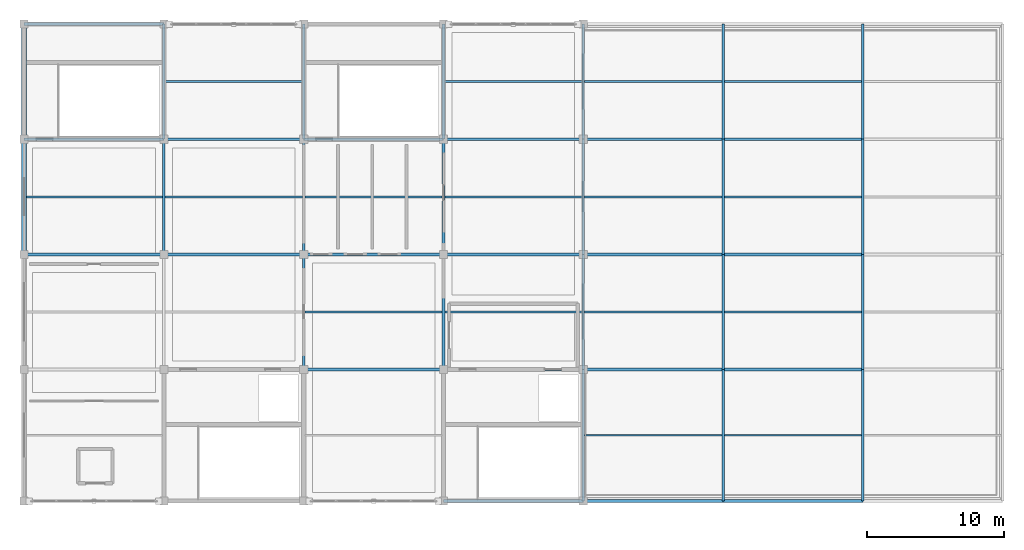
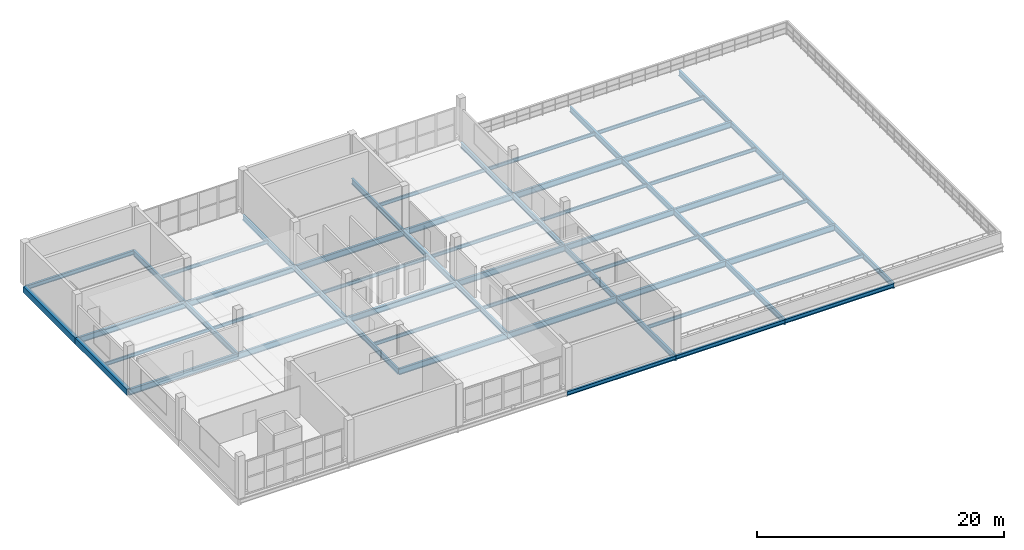
# One storey, part 5 of 12: 58 beams.
"""IFC4 building model written with IfcOpenShell, lengths in metres."""

import ifcopenshell
import ifcopenshell.guid

model = None  # the IFC model being written
_history = None  # IfcOwnerHistory: only IFC2X3 demands one
_inside = {}  # id of a spatial element -> (the spatial element, [elements in it])
_under = {}  # id of a project, library or spatial element -> (it, [spatial elements below it])
_declared = {}  # id of a project -> (the project, [libraries it declares])
_typed = {}  # id of a type object -> (the type object, [elements of that type])
_made_of = {}  # id of a material, layer set ... -> (it, [elements and type objects made of it])


def new_model(schema):
    """Start an empty IFC model of exactly this schema.

    Asked for "IFC4X3", IfcOpenShell would pick the latest addendum, in which some entities
    have other attributes; the version numbers below select the first issue.
    IFC2X3 requires an IfcOwnerHistory on every rooted entity: one is made here for all.
    """
    global model, _history
    if schema == "IFC4X3":
        model = ifcopenshell.file(schema_version=(4, 3, 0, 0))
    else:
        model = ifcopenshell.file(schema=schema)
    _inside.clear()
    _under.clear()
    _declared.clear()
    _typed.clear()
    _made_of.clear()
    _history = None
    if model.schema == "IFC2X3":
        org = make("IfcOrganization", Name="unknown")
        user = make(
            "IfcPersonAndOrganization",
            ThePerson=make("IfcPerson", FamilyName="unknown"),
            TheOrganization=org,
        )
        app = make(
            "IfcApplication",
            ApplicationDeveloper=org,
            Version="unknown",
            ApplicationFullName="unknown",
            ApplicationIdentifier="unknown",
        )
        _history = make(
            "IfcOwnerHistory",
            OwningUser=user,
            OwningApplication=app,
            ChangeAction="ADDED",
            CreationDate=0,
        )
    return model


def make(cls, **values):
    """One entity of the class cls with the attributes given. An attribute that is None is left unset."""
    return model.create_entity(
        cls, **{name: value for name, value in values.items() if value is not None}
    )


def rooted(cls, **values):
    """An entity with a GlobalId (a new one), such as an element, a storey or a relation."""
    return make(cls, GlobalId=ifcopenshell.guid.new(), OwnerHistory=_history, **values)


def si_unit(unit_type, name, prefix=None):
    """IfcSIUnit, for example si_unit("LENGTHUNIT", "METRE", prefix="MILLI")."""
    return make("IfcSIUnit", UnitType=unit_type, Prefix=prefix, Name=name)


def assignment(units):
    """IfcUnitAssignment: the units of a project."""
    return None if units is None else make("IfcUnitAssignment", Units=units)


def point(xyz):
    """IfcCartesianPoint."""
    return None if xyz is None else make("IfcCartesianPoint", Coordinates=xyz)


def direction(xyz):
    """IfcDirection."""
    return None if xyz is None else make("IfcDirection", DirectionRatios=xyz)


def frame(location, z_axis=None, x_axis=None):
    """IfcAxis2Placement3D, a coordinate frame: its origin and axes. An axis left out is left unset."""
    return make(
        "IfcAxis2Placement3D",
        Location=point(location),
        Axis=direction(z_axis),
        RefDirection=direction(x_axis),
    )


def frame_2d(location, x_axis=None):
    """IfcAxis2Placement2D, a coordinate frame in the plane: its origin and x axis."""
    return make(
        "IfcAxis2Placement2D", Location=point(location), RefDirection=direction(x_axis)
    )


def origin():
    """The frame at (0, 0, 0) with its axes left unset."""
    return frame((0.0, 0.0, 0.0))


def origin_2d():
    """The frame at (0, 0) in the plane with its x axis left unset."""
    return frame_2d((0.0, 0.0))


def place(relative_to, where):
    """IfcLocalPlacement: puts the frame where relative to a parent placement (None: the world)."""
    return make(
        "IfcLocalPlacement", PlacementRelTo=relative_to, RelativePlacement=where
    )


def context(
    kind, dimensions, precision=None, world=None, true_north=None, identifier=None
):
    """IfcGeometricRepresentationContext, for example the 3D "Model" context."""
    return make(
        "IfcGeometricRepresentationContext",
        ContextIdentifier=identifier,
        ContextType=kind,
        CoordinateSpaceDimension=dimensions,
        Precision=precision,
        WorldCoordinateSystem=world,
        TrueNorth=true_north,
    )


def subcontext(parent, identifier, kind, view, scale=None):
    """IfcGeometricRepresentationSubContext, for example "Body" below "Model"."""
    return make(
        "IfcGeometricRepresentationSubContext",
        ContextIdentifier=identifier,
        ContextType=kind,
        ParentContext=parent,
        TargetScale=scale,
        TargetView=view,
    )


def project(units=None, contexts=None):
    """IfcProject with its units and contexts."""
    return rooted(
        "IfcProject",
        Name="project",
        RepresentationContexts=contexts,
        UnitsInContext=assignment(units),
    )


def spatial(cls, under=None, at=None, **own):
    """A site, building, storey or space (cls), placed at a placement, below another one or the project."""
    s = rooted(cls, ObjectPlacement=at, **own)
    if under is not None:
        _under.setdefault(under.id(), (under, []))[1].append(s)
    return s


def profile(cls, at=None, kind="AREA", **sizes):
    """A parametric profile (cls). Its sizes go by their IFC names, for example OverallWidth=200.0."""
    return make(cls, ProfileType=kind, Position=at, **sizes)


def rectangle(**sizes):
    """IfcRectangleProfileDef."""
    return profile("IfcRectangleProfileDef", **sizes)


def i_section(**sizes):
    """IfcIShapeProfileDef."""
    return profile("IfcIShapeProfileDef", **sizes)


def extrude(swept, where, along, depth):
    """IfcExtrudedAreaSolid: the profile swept, set in the frame where, extruded along a direction by depth."""
    return make(
        "IfcExtrudedAreaSolid",
        SweptArea=swept,
        Position=where,
        ExtrudedDirection=direction(along),
        Depth=depth,
    )


def shape(context_of_items, identifier, shape_type, items):
    """IfcShapeRepresentation: the items that make up one representation, for example the "Body"."""
    return make(
        "IfcShapeRepresentation",
        ContextOfItems=context_of_items,
        RepresentationIdentifier=identifier,
        RepresentationType=shape_type,
        Items=items,
    )


def material(Name=None, Category=None):
    """IfcMaterial."""
    return make("IfcMaterial", Name=Name, Category=Category)


def material_profile(
    of_material, cross_section, Name=None, Category=None, Priority=None
):
    """IfcMaterialProfile: a cross section and its material."""
    return make(
        "IfcMaterialProfile",
        Name=Name,
        Material=of_material,
        Profile=cross_section,
        Priority=Priority,
        Category=Category,
    )


def profile_set(profiles, Name=None, composite=None):
    """IfcMaterialProfileSet."""
    return make(
        "IfcMaterialProfileSet",
        Name=Name,
        MaterialProfiles=profiles,
        CompositeProfile=composite,
    )


def made_of(thing, what):
    """Note that an element or type object is made of a material, layer set ...; save() writes the relation."""
    if what is not None:
        _made_of.setdefault(what.id(), (what, []))[1].append(thing)
    return thing


def type_object(cls, material=None, **own):
    """A type object (cls), such as IfcWallType, which elements share."""
    return made_of(rooted(cls, **own), material)


def element(
    cls,
    number,
    at=None,
    inside=None,
    cuts=None,
    type_object=None,
    material=None,
    context=None,
    identifier="Body",
    shape_type=None,
    held_by="IfcProductDefinitionShape",
    body=None,
    shapes=None,
    **own,
):
    """One element of the class cls, such as IfcWall. Its Tag is "e" and its number.

    at: its placement. inside: the storey or other place that contains it. cuts: it is an
    opening in that element (IfcRelVoidsElement). A single representation is given by context,
    identifier, shape_type and body (its items); several are given by shapes. held_by: the class
    of the entity that holds the representations. save() writes the other relations.
    """
    e = rooted(cls, Tag="e%d" % number, ObjectPlacement=at, **own)
    if body is not None:
        shapes = [shape(context, identifier, shape_type, body)]
    if shapes is not None:
        e.Representation = make(held_by, Representations=shapes)
    if inside is not None:
        _inside.setdefault(inside.id(), (inside, []))[1].append(e)
    if cuts is not None:
        rooted(
            "IfcRelVoidsElement", RelatingBuildingElement=cuts, RelatedOpeningElement=e
        )
    if type_object is not None:
        _typed.setdefault(type_object.id(), (type_object, []))[1].append(e)
    return made_of(e, material)


def aggregate(whole, parts):
    """IfcRelAggregates: a whole, such as a stair, and the parts it consists of."""
    return rooted("IfcRelAggregates", RelatingObject=whole, RelatedObjects=parts)


def save(model, path):
    """Write the relations noted so far, then the file.

    IfcRelAggregates (storeys below a building ...), IfcRelContainedInSpatialStructure (elements
    in a storey), IfcRelDefinesByType, IfcRelAssociatesMaterial and IfcRelDeclares: one each for
    every whole, place, type object, material and project.
    """
    for whole, parts in _under.values():
        aggregate(whole, parts)
    for where, things in _inside.values():
        rooted(
            "IfcRelContainedInSpatialStructure",
            RelatedElements=things,
            RelatingStructure=where,
        )
    for kind, things in _typed.values():
        rooted("IfcRelDefinesByType", RelatedObjects=things, RelatingType=kind)
    for what, things in _made_of.values():
        rooted("IfcRelAssociatesMaterial", RelatedObjects=things, RelatingMaterial=what)
    for by, libraries in _declared.values():
        rooted("IfcRelDeclares", RelatingContext=by, RelatedDefinitions=libraries)
    model.write(path)


model = new_model("IFC4")

# Units and contexts
model_context = context("Model", 3, precision=1e-05, world=origin(), true_north=direction((0.0, 1.0)))
body_context = subcontext(model_context, "Body", "Model", "MODEL_VIEW")
ifc_project = project(units=[si_unit("LENGTHUNIT", "METRE"), si_unit("AREAUNIT", "SQUARE_METRE"), si_unit("VOLUMEUNIT", "CUBIC_METRE"), si_unit("PLANEANGLEUNIT", "RADIAN"), si_unit("MASSUNIT", "GRAM", prefix="KILO")], contexts=[model_context])

# Site, building, storey
site_placement = place(None, origin())
site = spatial("IfcSite", under=ifc_project, at=site_placement, CompositionType="ELEMENT")
building_placement = place(site_placement, origin())
building = spatial("IfcBuilding", under=site, at=building_placement, Name="Brelvane Convention Centre", CompositionType="ELEMENT")
storey_placement = place(building_placement, frame((0.0, 0.0, 23.39990234375)))
storey = spatial("IfcBuildingStorey", under=building, at=storey_placement, Name="L05", CompositionType="ELEMENT", Elevation=23.39990234375)

# Beams
ifc_material_1 = material(Name="Concrete M40", Category="concrete")
ifc_material_profile_1 = material_profile(ifc_material_1, rectangle(XDim=0.35009765625, YDim=0.60009765625, at=origin_2d()), Name="RC 350x600")
ifc_profile_set_1 = profile_set([ifc_material_profile_1], Name="Concrete M40")
beam_type_1 = type_object("IfcBeamType", Name="RC Beam B-RC8 (RC 350x600)", PredefinedType="BEAM", material=ifc_profile_set_1)
beam_1_placement = place(storey_placement, frame((0.0, 127.199951171875, -0.5849609375), z_axis=(0.0, 1.0, 0.0), x_axis=(-1.0, 0.0, 0.0)))
element("IfcBeam", 1, at=beam_1_placement, inside=storey, type_object=beam_type_1, Name="L05 Girder 1/N-P", PredefinedType="BEAM", context=body_context, shape_type="SweptSolid", body=[
    extrude(rectangle(XDim=0.35009765625, YDim=0.60009765625, at=origin_2d()), origin(), (0.0, 0.0, 1.0), 8.400146484375),
])
beam_2_placement = place(storey_placement, frame((0.0, 135.60009765625, -0.5849609375), z_axis=(0.0, 1.0, 0.0), x_axis=(-1.0, 0.0, 0.0)))
element("IfcBeam", 2, at=beam_2_placement, inside=storey, type_object=beam_type_1, Name="L05 Girder 1/P-Q", PredefinedType="BEAM", context=body_context, shape_type="SweptSolid", body=[
    extrude(rectangle(XDim=0.35009765625, YDim=0.60009765625, at=origin_2d()), origin(), (0.0, 0.0, 1.0), 8.39990234375),
])
ifc_material_2 = material(Name="Steel E350 (350 MPa)", Category="steel")
ifc_material_profile_2 = material_profile(ifc_material_2, i_section(OverallWidth=0.2099609375, OverallDepth=0.60009765625, WebThickness=0.011962890625, FlangeThickness=0.020751953125, FilletRadius=0.02001953125, at=origin_2d()), Name="ISMB 600")
ifc_profile_set_2 = profile_set([ifc_material_profile_2], Name="Steel E350 (350 MPa)")
beam_type_2 = type_object("IfcBeamType", Name="Steel Beam B-ST7 (ISMB 600)", PredefinedType="BEAM", material=ifc_profile_set_2)
for number, where, z_axis, x_axis, name in (
    (3, (0.0, 127.199951171875, -0.5849609375), (1.0, 0.0, 0.0), (0.0, 1.0, 0.0), "L05 Beam 1-2/N"),
    (4, (0.0, 135.60009765625, -0.5849609375), (1.0, 0.0, 0.0), (0.0, 1.0, 0.0), "L05 Beam 1-2/P"),
    (5, (10.199951171875, 127.199951171875, -0.5849609375), (1.0, 0.0, 0.0), (0.0, 1.0, 0.0), "L05 Beam 2-3/N"),
    (6, (10.199951171875, 135.60009765625, -0.5849609375), (1.0, 0.0, 0.0), (0.0, 1.0, 0.0), "L05 Beam 2-3/P"),
):
    element("IfcBeam", number, at=place(storey_placement, frame(where, z_axis=z_axis, x_axis=x_axis)), inside=storey, type_object=beam_type_2, Name=name, PredefinedType="BEAM", context=body_context, shape_type="SweptSolid", body=[
        extrude(i_section(OverallWidth=0.2099609375, OverallDepth=0.60009765625, WebThickness=0.011962890625, FlangeThickness=0.020751953125, FilletRadius=0.02001953125, at=origin_2d()), origin(), (0.0, 0.0, 1.0), 10.199951171875),
    ])
for number, where, z_axis, x_axis, name in (
    (7, (20.39990234375, 118.800048828125, -0.614990234375), (1.0, 0.0, 0.0), (0.0, 1.0, 0.0), "L05 Beam 3-4/M"),
    (8, (20.39990234375, 127.199951171875, -0.614990234375), (1.0, 0.0, 0.0), (0.0, 1.0, 0.0), "L05 Beam 3-4/N"),
    (9, (20.39990234375, 135.60009765625, -0.614990234375), (1.0, 0.0, 0.0), (0.0, 1.0, 0.0), "L05 Beam 3-4/P"),
):
    element("IfcBeam", number, at=place(storey_placement, frame(where, z_axis=z_axis, x_axis=x_axis)), inside=storey, type_object=beam_type_2, Name=name, PredefinedType="BEAM", context=body_context, shape_type="SweptSolid", body=[
        extrude(i_section(OverallWidth=0.2099609375, OverallDepth=0.60009765625, WebThickness=0.011962890625, FlangeThickness=0.020751953125, FilletRadius=0.02001953125, at=origin_2d()), origin(), (0.0, 0.0, 1.0), 10.2001953125),
    ])
for number, where, z_axis, x_axis, name in (
    (10, (30.60009765625, 118.800048828125, -0.614990234375), (1.0, 0.0, 0.0), (0.0, 1.0, 0.0), "L05 Beam 4-5/M"),
    (11, (30.60009765625, 127.199951171875, -0.614990234375), (1.0, 0.0, 0.0), (0.0, 1.0, 0.0), "L05 Beam 4-5/N"),
    (12, (30.60009765625, 135.60009765625, -0.614990234375), (1.0, 0.0, 0.0), (0.0, 1.0, 0.0), "L05 Beam 4-5/P"),
    (13, (40.800048828125, 118.800048828125, -0.60986328125), (1.0, 0.0, 0.0), (0.0, 1.0, 0.0), "L05 Beam 5-6/M"),
    (14, (40.800048828125, 127.199951171875, -0.60986328125), (1.0, 0.0, 0.0), (0.0, 1.0, 0.0), "L05 Beam 5-6/N"),
    (15, (40.800048828125, 135.60009765625, -0.60986328125), (1.0, 0.0, 0.0), (0.0, 1.0, 0.0), "L05 Beam 5-6/P"),
    (16, (51.0, 118.800048828125, -0.60986328125), (1.0, 0.0, 0.0), (0.0, 1.0, 0.0), "L05 Beam 6-7/M"),
    (17, (51.0, 127.199951171875, -0.60986328125), (1.0, 0.0, 0.0), (0.0, 1.0, 0.0), "L05 Beam 6-7/N"),
    (18, (51.0, 135.60009765625, -0.60986328125), (1.0, 0.0, 0.0), (0.0, 1.0, 0.0), "L05 Beam 6-7/P"),
):
    element("IfcBeam", number, at=place(storey_placement, frame(where, z_axis=z_axis, x_axis=x_axis)), inside=storey, type_object=beam_type_2, Name=name, PredefinedType="BEAM", context=body_context, shape_type="SweptSolid", body=[
        extrude(i_section(OverallWidth=0.2099609375, OverallDepth=0.60009765625, WebThickness=0.011962890625, FlangeThickness=0.020751953125, FilletRadius=0.02001953125, at=origin_2d()), origin(), (0.0, 0.0, 1.0), 10.199951171875),
    ])
ifc_material_3 = material(Name="Steel E350 (350 MPa)", Category="steel")
ifc_material_profile_3 = material_profile(ifc_material_3, i_section(OverallWidth=0.18994140625, OverallDepth=0.550048828125, WebThickness=0.01123046875, FlangeThickness=0.019287109375, FilletRadius=0.01806640625, at=origin_2d()), Name="ISMB 550")
ifc_profile_set_3 = profile_set([ifc_material_profile_3], Name="Steel E350 (350 MPa)")
beam_type_3 = type_object("IfcBeamType", Name="Steel Beam B-ST8 (ISMB 550)", PredefinedType="BEAM", material=ifc_profile_set_3)
beam_3_placement = place(storey_placement, frame((10.199951171875, 127.199951171875, -0.559814453125), z_axis=(0.0, 1.0, 0.0), x_axis=(-1.0, 0.0, 0.0)))
element("IfcBeam", 19, at=beam_3_placement, inside=storey, type_object=beam_type_3, Name="L05 Girder 2/N-P", PredefinedType="BEAM", context=body_context, shape_type="SweptSolid", body=[
    extrude(i_section(OverallWidth=0.18994140625, OverallDepth=0.550048828125, WebThickness=0.01123046875, FlangeThickness=0.019287109375, FilletRadius=0.01806640625, at=origin_2d()), origin(), (0.0, 0.0, 1.0), 8.400146484375),
])
for number, where, z_axis, x_axis, name in (
    (20, (10.199951171875, 135.60009765625, -0.559814453125), (0.0, 1.0, 0.0), (-1.0, 0.0, 0.0), "L05 Girder 2/P-Q"),
    (21, (20.39990234375, 118.800048828125, -0.58984375), (0.0, 1.0, 0.0), (-1.0, 0.0, 0.0), "L05 Girder 3/M-N"),
):
    element("IfcBeam", number, at=place(storey_placement, frame(where, z_axis=z_axis, x_axis=x_axis)), inside=storey, type_object=beam_type_3, Name=name, PredefinedType="BEAM", context=body_context, shape_type="SweptSolid", body=[
        extrude(i_section(OverallWidth=0.18994140625, OverallDepth=0.550048828125, WebThickness=0.01123046875, FlangeThickness=0.019287109375, FilletRadius=0.01806640625, at=origin_2d()), origin(), (0.0, 0.0, 1.0), 8.39990234375),
    ])
beam_4_placement = place(storey_placement, frame((20.39990234375, 127.199951171875, -0.58984375), z_axis=(0.0, 1.0, 0.0), x_axis=(-1.0, 0.0, 0.0)))
element("IfcBeam", 22, at=beam_4_placement, inside=storey, type_object=beam_type_3, Name="L05 Girder 3/N-P", PredefinedType="BEAM", context=body_context, shape_type="SweptSolid", body=[
    extrude(i_section(OverallWidth=0.18994140625, OverallDepth=0.550048828125, WebThickness=0.01123046875, FlangeThickness=0.019287109375, FilletRadius=0.01806640625, at=origin_2d()), origin(), (0.0, 0.0, 1.0), 8.400146484375),
])
for number, where, z_axis, x_axis, name in (
    (23, (20.39990234375, 135.60009765625, -0.58984375), (0.0, 1.0, 0.0), (-1.0, 0.0, 0.0), "L05 Girder 3/P-Q"),
    (24, (30.60009765625, 118.800048828125, -0.58984375), (0.0, 1.0, 0.0), (-1.0, 0.0, 0.0), "L05 Girder 4/M-N"),
):
    element("IfcBeam", number, at=place(storey_placement, frame(where, z_axis=z_axis, x_axis=x_axis)), inside=storey, type_object=beam_type_3, Name=name, PredefinedType="BEAM", context=body_context, shape_type="SweptSolid", body=[
        extrude(i_section(OverallWidth=0.18994140625, OverallDepth=0.550048828125, WebThickness=0.01123046875, FlangeThickness=0.019287109375, FilletRadius=0.01806640625, at=origin_2d()), origin(), (0.0, 0.0, 1.0), 8.39990234375),
    ])
beam_5_placement = place(storey_placement, frame((30.60009765625, 127.199951171875, -0.58984375), z_axis=(0.0, 1.0, 0.0), x_axis=(-1.0, 0.0, 0.0)))
element("IfcBeam", 25, at=beam_5_placement, inside=storey, type_object=beam_type_3, Name="L05 Girder 4/N-P", PredefinedType="BEAM", context=body_context, shape_type="SweptSolid", body=[
    extrude(i_section(OverallWidth=0.18994140625, OverallDepth=0.550048828125, WebThickness=0.01123046875, FlangeThickness=0.019287109375, FilletRadius=0.01806640625, at=origin_2d()), origin(), (0.0, 0.0, 1.0), 8.400146484375),
])
beam_6_placement = place(storey_placement, frame((30.60009765625, 135.60009765625, -0.58984375), z_axis=(0.0, 1.0, 0.0), x_axis=(-1.0, 0.0, 0.0)))
element("IfcBeam", 26, at=beam_6_placement, inside=storey, type_object=beam_type_3, Name="L05 Girder 4/P-Q", PredefinedType="BEAM", context=body_context, shape_type="SweptSolid", body=[
    extrude(i_section(OverallWidth=0.18994140625, OverallDepth=0.550048828125, WebThickness=0.01123046875, FlangeThickness=0.019287109375, FilletRadius=0.01806640625, at=origin_2d()), origin(), (0.0, 0.0, 1.0), 8.39990234375),
])
beam_7_placement = place(storey_placement, frame((40.800048828125, 109.199951171875, -0.58984375), z_axis=(0.0, 1.0, 0.0), x_axis=(-1.0, 0.0, 0.0)))
element("IfcBeam", 27, at=beam_7_placement, inside=storey, type_object=beam_type_3, Name="L05 Girder 5/L-M", PredefinedType="BEAM", context=body_context, shape_type="SweptSolid", body=[
    extrude(i_section(OverallWidth=0.18994140625, OverallDepth=0.550048828125, WebThickness=0.01123046875, FlangeThickness=0.019287109375, FilletRadius=0.01806640625, at=origin_2d()), origin(), (0.0, 0.0, 1.0), 9.60009765625),
])
beam_8_placement = place(storey_placement, frame((40.800048828125, 118.800048828125, -0.58984375), z_axis=(0.0, 1.0, 0.0), x_axis=(-1.0, 0.0, 0.0)))
element("IfcBeam", 28, at=beam_8_placement, inside=storey, type_object=beam_type_3, Name="L05 Girder 5/M-N", PredefinedType="BEAM", context=body_context, shape_type="SweptSolid", body=[
    extrude(i_section(OverallWidth=0.18994140625, OverallDepth=0.550048828125, WebThickness=0.01123046875, FlangeThickness=0.019287109375, FilletRadius=0.01806640625, at=origin_2d()), origin(), (0.0, 0.0, 1.0), 8.39990234375),
])
beam_9_placement = place(storey_placement, frame((40.800048828125, 127.199951171875, -0.58984375), z_axis=(0.0, 1.0, 0.0), x_axis=(-1.0, 0.0, 0.0)))
element("IfcBeam", 29, at=beam_9_placement, inside=storey, type_object=beam_type_3, Name="L05 Girder 5/N-P", PredefinedType="BEAM", context=body_context, shape_type="SweptSolid", body=[
    extrude(i_section(OverallWidth=0.18994140625, OverallDepth=0.550048828125, WebThickness=0.01123046875, FlangeThickness=0.019287109375, FilletRadius=0.01806640625, at=origin_2d()), origin(), (0.0, 0.0, 1.0), 8.400146484375),
])
beam_10_placement = place(storey_placement, frame((40.800048828125, 135.60009765625, -0.58984375), z_axis=(0.0, 1.0, 0.0), x_axis=(-1.0, 0.0, 0.0)))
element("IfcBeam", 30, at=beam_10_placement, inside=storey, type_object=beam_type_3, Name="L05 Girder 5/P-Q", PredefinedType="BEAM", context=body_context, shape_type="SweptSolid", body=[
    extrude(i_section(OverallWidth=0.18994140625, OverallDepth=0.550048828125, WebThickness=0.01123046875, FlangeThickness=0.019287109375, FilletRadius=0.01806640625, at=origin_2d()), origin(), (0.0, 0.0, 1.0), 8.39990234375),
])
beam_11_placement = place(storey_placement, frame((51.0, 109.199951171875, -0.5849609375), z_axis=(0.0, 1.0, 0.0), x_axis=(-1.0, 0.0, 0.0)))
element("IfcBeam", 31, at=beam_11_placement, inside=storey, type_object=beam_type_3, Name="L05 Girder 6/L-M", PredefinedType="BEAM", context=body_context, shape_type="SweptSolid", body=[
    extrude(i_section(OverallWidth=0.18994140625, OverallDepth=0.550048828125, WebThickness=0.01123046875, FlangeThickness=0.019287109375, FilletRadius=0.01806640625, at=origin_2d()), origin(), (0.0, 0.0, 1.0), 9.60009765625),
])
beam_12_placement = place(storey_placement, frame((51.0, 118.800048828125, -0.5849609375), z_axis=(0.0, 1.0, 0.0), x_axis=(-1.0, 0.0, 0.0)))
element("IfcBeam", 32, at=beam_12_placement, inside=storey, type_object=beam_type_3, Name="L05 Girder 6/M-N", PredefinedType="BEAM", context=body_context, shape_type="SweptSolid", body=[
    extrude(i_section(OverallWidth=0.18994140625, OverallDepth=0.550048828125, WebThickness=0.01123046875, FlangeThickness=0.019287109375, FilletRadius=0.01806640625, at=origin_2d()), origin(), (0.0, 0.0, 1.0), 8.39990234375),
])
beam_13_placement = place(storey_placement, frame((51.0, 127.199951171875, -0.5849609375), z_axis=(0.0, 1.0, 0.0), x_axis=(-1.0, 0.0, 0.0)))
element("IfcBeam", 33, at=beam_13_placement, inside=storey, type_object=beam_type_3, Name="L05 Girder 6/N-P", PredefinedType="BEAM", context=body_context, shape_type="SweptSolid", body=[
    extrude(i_section(OverallWidth=0.18994140625, OverallDepth=0.550048828125, WebThickness=0.01123046875, FlangeThickness=0.019287109375, FilletRadius=0.01806640625, at=origin_2d()), origin(), (0.0, 0.0, 1.0), 8.400146484375),
])
beam_14_placement = place(storey_placement, frame((51.0, 135.60009765625, -0.5849609375), z_axis=(0.0, 1.0, 0.0), x_axis=(-1.0, 0.0, 0.0)))
element("IfcBeam", 34, at=beam_14_placement, inside=storey, type_object=beam_type_3, Name="L05 Girder 6/P-Q", PredefinedType="BEAM", context=body_context, shape_type="SweptSolid", body=[
    extrude(i_section(OverallWidth=0.18994140625, OverallDepth=0.550048828125, WebThickness=0.01123046875, FlangeThickness=0.019287109375, FilletRadius=0.01806640625, at=origin_2d()), origin(), (0.0, 0.0, 1.0), 8.39990234375),
])
beam_15_placement = place(storey_placement, frame((61.199951171875, 109.199951171875, -0.5849609375), z_axis=(0.0, 1.0, 0.0), x_axis=(-1.0, 0.0, 0.0)))
element("IfcBeam", 35, at=beam_15_placement, inside=storey, type_object=beam_type_3, Name="L05 Girder 7/L-M", PredefinedType="BEAM", context=body_context, shape_type="SweptSolid", body=[
    extrude(i_section(OverallWidth=0.18994140625, OverallDepth=0.550048828125, WebThickness=0.01123046875, FlangeThickness=0.019287109375, FilletRadius=0.01806640625, at=origin_2d()), origin(), (0.0, 0.0, 1.0), 9.60009765625),
])
beam_16_placement = place(storey_placement, frame((61.199951171875, 118.800048828125, -0.5849609375), z_axis=(0.0, 1.0, 0.0), x_axis=(-1.0, 0.0, 0.0)))
element("IfcBeam", 36, at=beam_16_placement, inside=storey, type_object=beam_type_3, Name="L05 Girder 7/M-N", PredefinedType="BEAM", context=body_context, shape_type="SweptSolid", body=[
    extrude(i_section(OverallWidth=0.18994140625, OverallDepth=0.550048828125, WebThickness=0.01123046875, FlangeThickness=0.019287109375, FilletRadius=0.01806640625, at=origin_2d()), origin(), (0.0, 0.0, 1.0), 8.39990234375),
])
beam_17_placement = place(storey_placement, frame((61.199951171875, 127.199951171875, -0.5849609375), z_axis=(0.0, 1.0, 0.0), x_axis=(-1.0, 0.0, 0.0)))
element("IfcBeam", 37, at=beam_17_placement, inside=storey, type_object=beam_type_3, Name="L05 Girder 7/N-P", PredefinedType="BEAM", context=body_context, shape_type="SweptSolid", body=[
    extrude(i_section(OverallWidth=0.18994140625, OverallDepth=0.550048828125, WebThickness=0.01123046875, FlangeThickness=0.019287109375, FilletRadius=0.01806640625, at=origin_2d()), origin(), (0.0, 0.0, 1.0), 8.400146484375),
])
beam_18_placement = place(storey_placement, frame((61.199951171875, 135.60009765625, -0.5849609375), z_axis=(0.0, 1.0, 0.0), x_axis=(-1.0, 0.0, 0.0)))
element("IfcBeam", 38, at=beam_18_placement, inside=storey, type_object=beam_type_3, Name="L05 Girder 7/P-Q", PredefinedType="BEAM", context=body_context, shape_type="SweptSolid", body=[
    extrude(i_section(OverallWidth=0.18994140625, OverallDepth=0.550048828125, WebThickness=0.01123046875, FlangeThickness=0.019287109375, FilletRadius=0.01806640625, at=origin_2d()), origin(), (0.0, 0.0, 1.0), 8.39990234375),
])
ifc_material_4 = material(Name="Steel E350 (350 MPa)", Category="steel")
ifc_material_profile_4 = material_profile(ifc_material_4, i_section(OverallWidth=0.139892578125, OverallDepth=0.35009765625, WebThickness=0.008056640625, FlangeThickness=0.01416015625, FilletRadius=0.013916015625, at=origin_2d()), Name="ISMB 350")
ifc_profile_set_4 = profile_set([ifc_material_profile_4], Name="Steel E350 (350 MPa)")
beam_type_4 = type_object("IfcBeamType", Name="Steel Joist J-ST2 (ISMB 350)", PredefinedType="JOIST", material=ifc_profile_set_4)
beam_19_placement = place(storey_placement, frame((0.175048828125, 131.39990234375, -0.4599609375), z_axis=(1.0, 0.0, 0.0), x_axis=(0.0, 1.0, 0.0)))
element("IfcBeam", 39, at=beam_19_placement, inside=storey, type_object=beam_type_4, Name="L05 Secondary Joist 1-2/NP", PredefinedType="JOIST", context=body_context, shape_type="SweptSolid", body=[
    extrude(i_section(OverallWidth=0.139892578125, OverallDepth=0.35009765625, WebThickness=0.008056640625, FlangeThickness=0.01416015625, FilletRadius=0.013916015625, at=origin_2d()), origin(), (0.0, 0.0, 1.0), 9.929931640625),
])
for number, where, z_axis, x_axis, name in (
    (40, (10.294921875, 131.39990234375, -0.4599609375), (1.0, 0.0, 0.0), (0.0, 1.0, 0.0), "L05 Secondary Joist 2-3/NP"),
    (41, (10.294921875, 139.800048828125, -0.4599609375), (1.0, 0.0, 0.0), (0.0, 1.0, 0.0), "L05 Secondary Joist 2-3/PQ"),
):
    element("IfcBeam", number, at=place(storey_placement, frame(where, z_axis=z_axis, x_axis=x_axis)), inside=storey, type_object=beam_type_4, Name=name, PredefinedType="JOIST", context=body_context, shape_type="SweptSolid", body=[
        extrude(i_section(OverallWidth=0.139892578125, OverallDepth=0.35009765625, WebThickness=0.008056640625, FlangeThickness=0.01416015625, FilletRadius=0.013916015625, at=origin_2d()), origin(), (0.0, 0.0, 1.0), 10.010009765625),
    ])
for number, where, z_axis, x_axis, name in (
    (42, (20.4951171875, 123.0, -0.489990234375), (1.0, 0.0, 0.0), (0.0, 1.0, 0.0), "L05 Secondary Joist 3-4/MN"),
    (43, (20.4951171875, 131.39990234375, -0.489990234375), (1.0, 0.0, 0.0), (0.0, 1.0, 0.0), "L05 Secondary Joist 3-4/NP"),
):
    element("IfcBeam", number, at=place(storey_placement, frame(where, z_axis=z_axis, x_axis=x_axis)), inside=storey, type_object=beam_type_4, Name=name, PredefinedType="JOIST", context=body_context, shape_type="SweptSolid", body=[
        extrude(i_section(OverallWidth=0.139892578125, OverallDepth=0.35009765625, WebThickness=0.008056640625, FlangeThickness=0.01416015625, FilletRadius=0.013916015625, at=origin_2d()), origin(), (0.0, 0.0, 1.0), 10.009765625),
    ])
for number, where, z_axis, x_axis, name in (
    (44, (30.695068359375, 123.0, -0.489990234375), (1.0, 0.0, 0.0), (0.0, 1.0, 0.0), "L05 Secondary Joist 4-5/MN"),
    (45, (30.695068359375, 131.39990234375, -0.489990234375), (1.0, 0.0, 0.0), (0.0, 1.0, 0.0), "L05 Secondary Joist 4-5/NP"),
    (46, (30.695068359375, 139.800048828125, -0.489990234375), (1.0, 0.0, 0.0), (0.0, 1.0, 0.0), "L05 Secondary Joist 4-5/PQ"),
    (47, (40.89501953125, 114.0, -0.48486328125), (1.0, 0.0, 0.0), (0.0, 1.0, 0.0), "L05 Secondary Joist 5-6/LM"),
    (48, (40.89501953125, 123.0, -0.48486328125), (1.0, 0.0, 0.0), (0.0, 1.0, 0.0), "L05 Secondary Joist 5-6/MN"),
    (49, (40.89501953125, 131.39990234375, -0.48486328125), (1.0, 0.0, 0.0), (0.0, 1.0, 0.0), "L05 Secondary Joist 5-6/NP"),
    (50, (40.89501953125, 139.800048828125, -0.48486328125), (1.0, 0.0, 0.0), (0.0, 1.0, 0.0), "L05 Secondary Joist 5-6/PQ"),
    (51, (51.094970703125, 114.0, -0.48486328125), (1.0, 0.0, 0.0), (0.0, 1.0, 0.0), "L05 Secondary Joist 6-7/LM"),
    (52, (51.094970703125, 123.0, -0.48486328125), (1.0, 0.0, 0.0), (0.0, 1.0, 0.0), "L05 Secondary Joist 6-7/MN"),
    (53, (51.094970703125, 131.39990234375, -0.48486328125), (1.0, 0.0, 0.0), (0.0, 1.0, 0.0), "L05 Secondary Joist 6-7/NP"),
    (54, (51.094970703125, 139.800048828125, -0.48486328125), (1.0, 0.0, 0.0), (0.0, 1.0, 0.0), "L05 Secondary Joist 6-7/PQ"),
):
    element("IfcBeam", number, at=place(storey_placement, frame(where, z_axis=z_axis, x_axis=x_axis)), inside=storey, type_object=beam_type_4, Name=name, PredefinedType="JOIST", context=body_context, shape_type="SweptSolid", body=[
        extrude(i_section(OverallWidth=0.139892578125, OverallDepth=0.35009765625, WebThickness=0.008056640625, FlangeThickness=0.01416015625, FilletRadius=0.013916015625, at=origin_2d()), origin(), (0.0, 0.0, 1.0), 10.010009765625),
    ])
ifc_material_5 = material(Name="Steel E350 (350 MPa)", Category="steel")
ifc_material_profile_5 = material_profile(ifc_material_5, i_section(OverallWidth=0.199951171875, OverallDepth=0.39990234375, WebThickness=0.008544921875, FlangeThickness=0.012939453125, FilletRadius=0.013916015625, at=origin_2d()), Name="ISWB 400")
ifc_profile_set_5 = profile_set([ifc_material_profile_5], Name="Steel E350 (350 MPa)")
beam_type_5 = type_object("IfcBeamType", Name="Steel Spandrel SP-ST2 (ISWB 400)", PredefinedType="SPANDREL", material=ifc_profile_set_5)
for number, where, z_axis, x_axis, name in (
    (55, (0.0, 144.0, -0.48486328125), (1.0, 0.0, 0.0), (0.0, 1.0, 0.0), "L05 Beam 1-2/Q"),
    (56, (30.60009765625, 109.199951171875, -0.514892578125), (1.0, 0.0, 0.0), (0.0, 1.0, 0.0), "L05 Beam 4-5/L"),
    (57, (40.800048828125, 109.199951171875, -0.510009765625), (1.0, 0.0, 0.0), (0.0, 1.0, 0.0), "L05 Beam 5-6/L"),
    (58, (51.0, 109.199951171875, -0.510009765625), (1.0, 0.0, 0.0), (0.0, 1.0, 0.0), "L05 Beam 6-7/L"),
):
    element("IfcBeam", number, at=place(storey_placement, frame(where, z_axis=z_axis, x_axis=x_axis)), inside=storey, type_object=beam_type_5, Name=name, PredefinedType="SPANDREL", context=body_context, shape_type="SweptSolid", body=[
        extrude(i_section(OverallWidth=0.199951171875, OverallDepth=0.39990234375, WebThickness=0.008544921875, FlangeThickness=0.012939453125, FilletRadius=0.013916015625, at=origin_2d()), origin(), (0.0, 0.0, 1.0), 10.199951171875),
    ])

save(model, "model.ifc")
